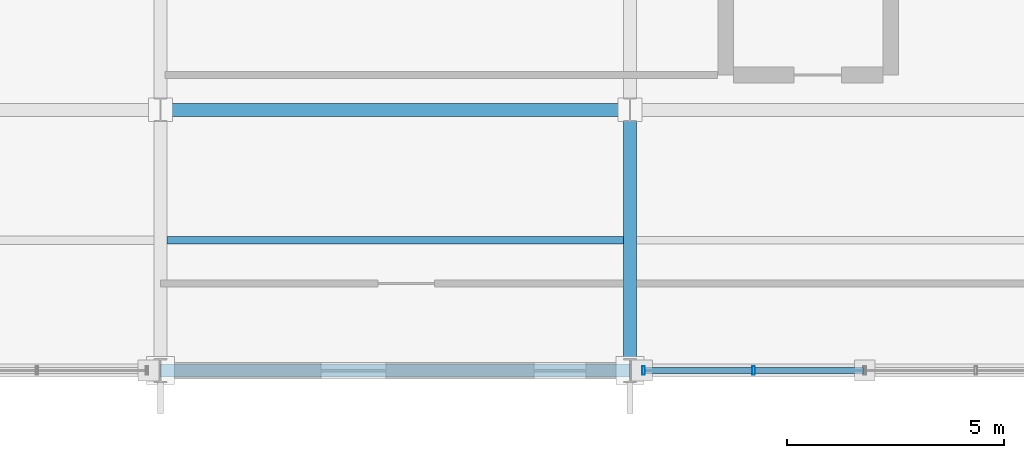
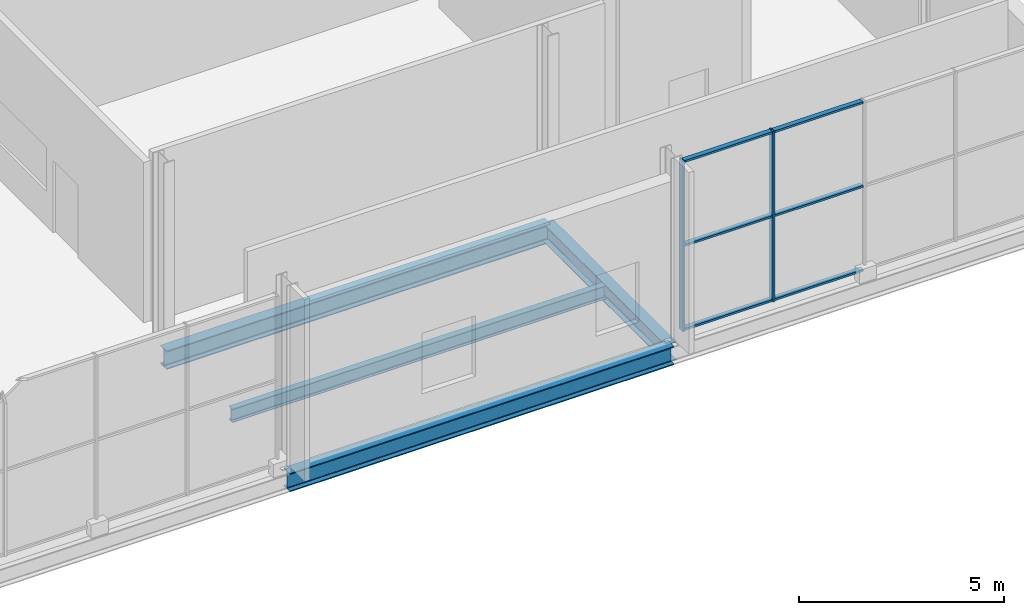
# One storey, part 131 of 196: 8 members, 4 beams, 1 element without a shape of its own.
"""IFC4 building model written with IfcOpenShell, lengths in metres."""

from ifc_helpers import new_model, si_unit, direction, frame, origin, origin_2d, place, context, subcontext, project, spatial, hollow_rectangle, i_section, extrude, material, material_profile, profile_set, type_object, element, aggregate, save


model = new_model("IFC4")

# Units and contexts
model_context = context("Model", 3, precision=1e-05, world=origin(), true_north=direction((0.0, 1.0)))
body_context = subcontext(model_context, "Body", "Model", "MODEL_VIEW")
ifc_project = project(units=[si_unit("LENGTHUNIT", "METRE"), si_unit("AREAUNIT", "SQUARE_METRE"), si_unit("VOLUMEUNIT", "CUBIC_METRE"), si_unit("PLANEANGLEUNIT", "RADIAN"), si_unit("MASSUNIT", "GRAM", prefix="KILO")], contexts=[model_context])

# Site, building, storey
site_placement = place(None, origin())
site = spatial("IfcSite", under=ifc_project, at=site_placement, CompositionType="ELEMENT")
building_placement = place(site_placement, origin())
building = spatial("IfcBuilding", under=site, at=building_placement, Name="Merenkruunu Market Hall", CompositionType="ELEMENT")
storey_placement = place(building_placement, origin())
storey = spatial("IfcBuildingStorey", under=building, at=storey_placement, Name="L00", CompositionType="ELEMENT", Elevation=0.0)

# Curtain wall, members
ifc_material_1 = material(Name="Powder-coated aluminium", Category="aluminium")
curtain_wall_type = type_object("IfcCurtainWallType", Name="Glazed Curtain Wall CW07", PredefinedType="USERDEFINED", material=ifc_material_1)
curtain_wall_placement = place(storey_placement, origin())
curtain_wall = element("IfcCurtainWall", 1, at=curtain_wall_placement, inside=storey, type_object=curtain_wall_type, Name="CW-L00-CWM03-202", ObjectType="GLAZED_FACADE", PredefinedType="USERDEFINED")
ifc_material_profile_1 = material_profile(ifc_material_1, hollow_rectangle(XDim=0.06005859375, YDim=0.199951171875, WallThickness=0.0048828125, at=origin_2d()), Name="ALU 60x200x5")
ifc_profile_set_1 = profile_set([ifc_material_profile_1], Name="Powder-coated aluminium")
member_type_1 = type_object("IfcMemberType", Name="Curtain Wall Mullion CWM03", PredefinedType="MULLION", material=ifc_profile_set_1)
member_1_placement = place(storey_placement, frame((184.0400390625, 0.0, 0.0), z_axis=(0.0, 0.0, 1.0), x_axis=(-1.0, 0.0, 0.0)))
member_1 = element("IfcMember", 2, at=member_1_placement, type_object=member_type_1, Name="CW07 mullion 4", PredefinedType="MULLION", context=body_context, shape_type="SweptSolid", body=[
    extrude(hollow_rectangle(XDim=0.06005859375, YDim=0.199951171875, WallThickness=0.0048828125, at=origin_2d()), origin(), (0.0, 0.0, 1.0), 5.050048828125),
])
member_2_placement = place(storey_placement, frame((181.510009765625, 0.0, 0.0), z_axis=(0.0, 0.0, 1.0), x_axis=(-1.0, 0.0, 0.0)))
member_2 = element("IfcMember", 3, at=member_2_placement, type_object=member_type_1, Name="CW07 mullion 5", PredefinedType="MULLION", context=body_context, shape_type="SweptSolid", body=[
    extrude(hollow_rectangle(XDim=0.06005859375, YDim=0.199951171875, WallThickness=0.0048828125, at=origin_2d()), origin(), (0.0, 0.0, 1.0), 5.050048828125),
])
ifc_material_profile_2 = material_profile(ifc_material_1, hollow_rectangle(XDim=0.06005859375, YDim=0.139892578125, WallThickness=0.00390625, at=origin_2d()), Name="ALU 60x140x4")
ifc_profile_set_2 = profile_set([ifc_material_profile_2], Name="Powder-coated aluminium")
member_type_2 = type_object("IfcMemberType", Name="Curtain Wall Transom CWT02", PredefinedType="USERDEFINED", material=ifc_profile_set_2)
member_3_placement = place(storey_placement, frame((186.570068359375, 0.0, 0.030029296875), z_axis=(-1.0, 0.0, 0.0), x_axis=(0.0, 0.0, 1.0)))
member_3 = element("IfcMember", 4, at=member_3_placement, type_object=member_type_2, Name="CW07 transom 3.1", ObjectType="TRANSOM", PredefinedType="USERDEFINED", context=body_context, shape_type="SweptSolid", body=[
    extrude(hollow_rectangle(XDim=0.06005859375, YDim=0.139892578125, WallThickness=0.00390625, at=origin_2d()), origin(), (0.0, 0.0, 1.0), 2.5),
])
member_4_placement = place(storey_placement, frame((186.570068359375, 0.0, 2.52490234375), z_axis=(-1.0, 0.0, 0.0), x_axis=(0.0, 0.0, 1.0)))
member_4 = element("IfcMember", 5, at=member_4_placement, type_object=member_type_2, Name="CW07 transom 3.2", ObjectType="TRANSOM", PredefinedType="USERDEFINED", context=body_context, shape_type="SweptSolid", body=[
    extrude(hollow_rectangle(XDim=0.06005859375, YDim=0.139892578125, WallThickness=0.00390625, at=origin_2d()), origin(), (0.0, 0.0, 1.0), 2.5),
])
member_5_placement = place(storey_placement, frame((186.570068359375, 0.0, 5.02001953125), z_axis=(-1.0, 0.0, 0.0), x_axis=(0.0, 0.0, 1.0)))
member_5 = element("IfcMember", 6, at=member_5_placement, type_object=member_type_2, Name="CW07 transom 3.3", ObjectType="TRANSOM", PredefinedType="USERDEFINED", context=body_context, shape_type="SweptSolid", body=[
    extrude(hollow_rectangle(XDim=0.06005859375, YDim=0.139892578125, WallThickness=0.00390625, at=origin_2d()), origin(), (0.0, 0.0, 1.0), 2.5),
])
member_6_placement = place(storey_placement, frame((184.010009765625, 0.0, 0.030029296875), z_axis=(-1.0, 0.0, 0.0), x_axis=(0.0, 0.0, 1.0)))
member_6 = element("IfcMember", 7, at=member_6_placement, type_object=member_type_2, Name="CW07 transom 4.1", ObjectType="TRANSOM", PredefinedType="USERDEFINED", context=body_context, shape_type="SweptSolid", body=[
    extrude(hollow_rectangle(XDim=0.06005859375, YDim=0.139892578125, WallThickness=0.00390625, at=origin_2d()), origin(), (0.0, 0.0, 1.0), 2.469970703125),
])
member_7_placement = place(storey_placement, frame((184.010009765625, 0.0, 2.52490234375), z_axis=(-1.0, 0.0, 0.0), x_axis=(0.0, 0.0, 1.0)))
member_7 = element("IfcMember", 8, at=member_7_placement, type_object=member_type_2, Name="CW07 transom 4.2", ObjectType="TRANSOM", PredefinedType="USERDEFINED", context=body_context, shape_type="SweptSolid", body=[
    extrude(hollow_rectangle(XDim=0.06005859375, YDim=0.139892578125, WallThickness=0.00390625, at=origin_2d()), origin(), (0.0, 0.0, 1.0), 2.469970703125),
])
member_8_placement = place(storey_placement, frame((184.010009765625, 0.0, 5.02001953125), z_axis=(-1.0, 0.0, 0.0), x_axis=(0.0, 0.0, 1.0)))
member_8 = element("IfcMember", 9, at=member_8_placement, type_object=member_type_2, Name="CW07 transom 4.3", ObjectType="TRANSOM", PredefinedType="USERDEFINED", context=body_context, shape_type="SweptSolid", body=[
    extrude(hollow_rectangle(XDim=0.06005859375, YDim=0.139892578125, WallThickness=0.00390625, at=origin_2d()), origin(), (0.0, 0.0, 1.0), 2.469970703125),
])
aggregate(curtain_wall, [member_1, member_2, member_3, member_4, member_5, member_6, member_7, member_8])

# Beams
ifc_material_2 = material(Name="Steel S355J2", Category="steel")
ifc_material_profile_3 = material_profile(ifc_material_2, i_section(OverallWidth=0.300048828125, OverallDepth=0.550048828125, WebThickness=0.014892578125, FlangeThickness=0.029052734375, FilletRadius=0.027099609375, at=origin_2d()), Name="HEB 550")
ifc_profile_set_3 = profile_set([ifc_material_profile_3], Name="Steel S355J2")
beam_type_1 = type_object("IfcBeamType", Name="Primary Floor Girder B02", PredefinedType="BEAM", material=ifc_profile_set_3)
for number, where, z_axis, x_axis, name in (
    (10, (170.39990234375, 0.0, -0.574951171875), (1.0, 0.0, 0.0), (0.0, 1.0, 0.0), "BM-L00-B02-0003"),
    (11, (170.39990234375, 6.0, -0.574951171875), (1.0, 0.0, 0.0), (0.0, 1.0, 0.0), "BM-L00-B02-0007"),
):
    element("IfcBeam", number, at=place(storey_placement, frame(where, z_axis=z_axis, x_axis=x_axis)), inside=storey, type_object=beam_type_1, Name=name, PredefinedType="BEAM", context=body_context, shape_type="SweptSolid", body=[
        extrude(i_section(OverallWidth=0.300048828125, OverallDepth=0.550048828125, WebThickness=0.014892578125, FlangeThickness=0.029052734375, FilletRadius=0.027099609375, at=origin_2d()), origin(), (0.0, 0.0, 1.0), 10.800048828125),
    ])
ifc_material_profile_4 = material_profile(ifc_material_2, i_section(OverallWidth=0.300048828125, OverallDepth=0.5400390625, WebThickness=0.012451171875, FlangeThickness=0.02392578125, FilletRadius=0.027099609375, at=origin_2d()), Name="HEA 550")
ifc_profile_set_4 = profile_set([ifc_material_profile_4], Name="Steel S355J2")
beam_type_2 = type_object("IfcBeamType", Name="Primary Floor Girder B06", PredefinedType="BEAM", material=ifc_profile_set_4)
beam_1_placement = place(storey_placement, frame((181.199951171875, 0.0, -0.570068359375), z_axis=(0.0, 1.0, 0.0), x_axis=(-1.0, 0.0, 0.0)))
element("IfcBeam", 12, at=beam_1_placement, inside=storey, type_object=beam_type_2, Name="BM-L00-B06-0260", PredefinedType="BEAM", context=body_context, shape_type="SweptSolid", body=[
    extrude(i_section(OverallWidth=0.300048828125, OverallDepth=0.5400390625, WebThickness=0.012451171875, FlangeThickness=0.02392578125, FilletRadius=0.027099609375, at=origin_2d()), origin(), (0.0, 0.0, 1.0), 6.0),
])
ifc_material_profile_5 = material_profile(ifc_material_2, i_section(OverallWidth=0.179931640625, OverallDepth=0.39990234375, WebThickness=0.008544921875, FlangeThickness=0.013427734375, FilletRadius=0.02099609375, at=origin_2d()), Name="IPE 400")
ifc_profile_set_5 = profile_set([ifc_material_profile_5], Name="Steel S355J2")
beam_type_3 = type_object("IfcBeamType", Name="Secondary Floor Joist J02", PredefinedType="JOIST", material=ifc_profile_set_5)
beam_2_placement = place(storey_placement, frame((170.552978515625, 3.0, -0.5), z_axis=(1.0, 0.0, 0.0), x_axis=(0.0, 1.0, 0.0)))
element("IfcBeam", 13, at=beam_2_placement, inside=storey, type_object=beam_type_3, Name="BM-L00-J02-0444", PredefinedType="JOIST", context=body_context, shape_type="SweptSolid", body=[
    extrude(i_section(OverallWidth=0.179931640625, OverallDepth=0.39990234375, WebThickness=0.008544921875, FlangeThickness=0.013427734375, FilletRadius=0.02099609375, at=origin_2d()), origin(), (0.0, 0.0, 1.0), 10.494140625),
])

save(model, "model.ifc")
